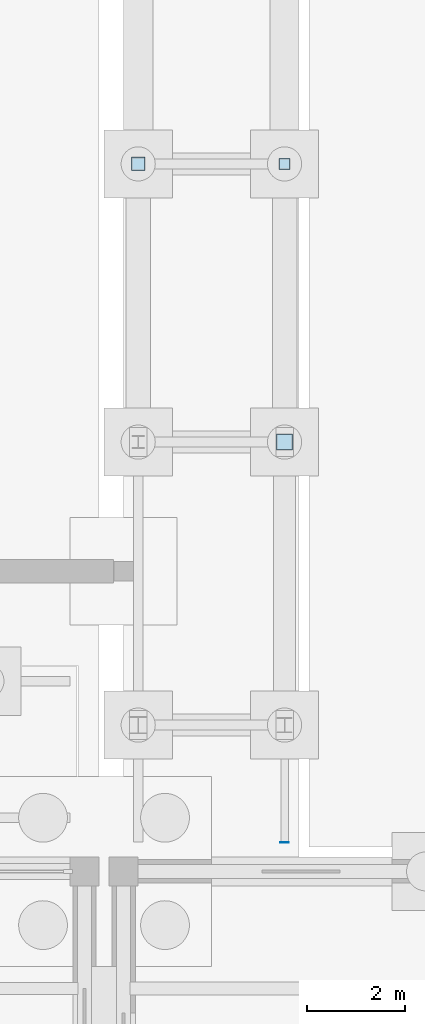
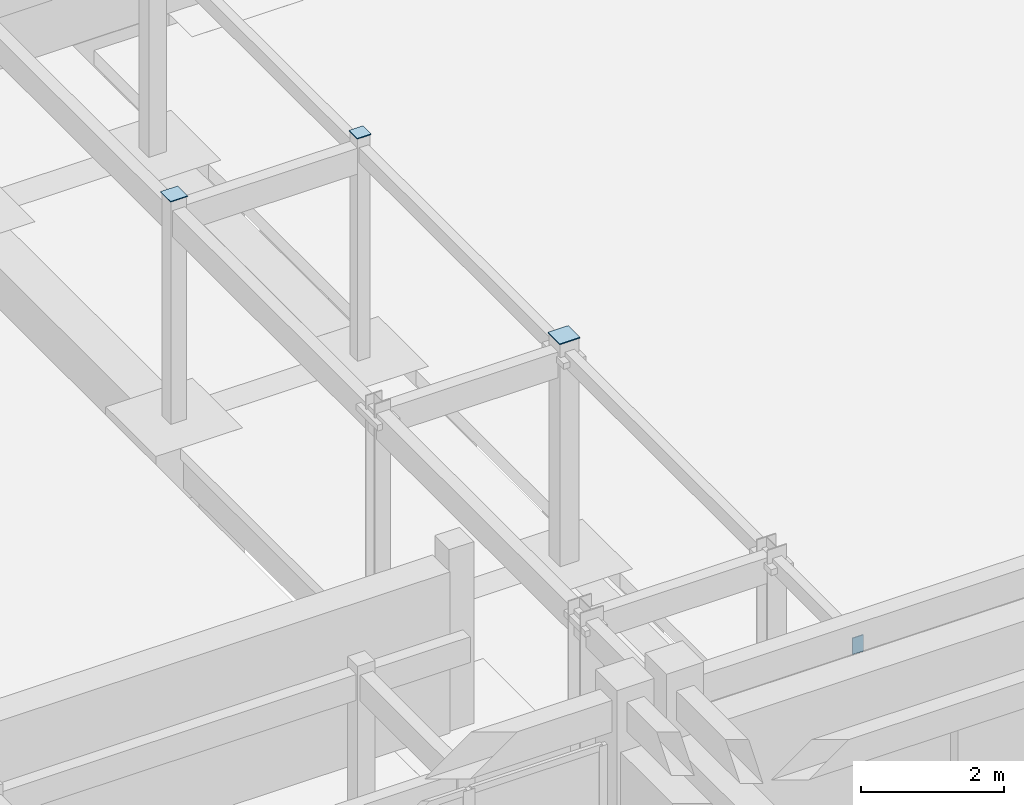
# One storey, part 90 of 143: 4 plates.
"""IFC4 building model written with IfcOpenShell, lengths in metres."""

from ifc_helpers import new_model, si_unit, direction, frame, origin, origin_2d, place, context, subcontext, project, spatial, rectangle, extrude, material, layer, layer_set, type_object, element, save


model = new_model("IFC4")

# Units and contexts
model_context = context("Model", 3, precision=1e-05, world=origin(), true_north=direction((0.0, 1.0)))
body_context = subcontext(model_context, "Body", "Model", "MODEL_VIEW")
ifc_project = project(units=[si_unit("LENGTHUNIT", "METRE"), si_unit("AREAUNIT", "SQUARE_METRE"), si_unit("VOLUMEUNIT", "CUBIC_METRE"), si_unit("PLANEANGLEUNIT", "RADIAN"), si_unit("MASSUNIT", "GRAM", prefix="KILO")], contexts=[model_context])

# Site, building, storey
site_placement = place(None, origin())
site = spatial("IfcSite", under=ifc_project, at=site_placement, CompositionType="ELEMENT")
building_placement = place(site_placement, origin())
building = spatial("IfcBuilding", under=site, at=building_placement, Name="Steenspoor Specialist Clinic", CompositionType="ELEMENT")
storey_placement = place(building_placement, origin())
storey = spatial("IfcBuildingStorey", under=building, at=storey_placement, Name="L00", CompositionType="ELEMENT", Elevation=0.0)

# Plates
ifc_material = material(Name="Steel A572 Grade 50", Category="steel")
ifc_layer = layer(ifc_material, 0.01611328125)
ifc_layer_set = layer_set([ifc_layer], Name="Steel A572 Grade 50")
plate_type = type_object("IfcPlateType", Name="PL-GUS-16", PredefinedType="SHEET", material=ifc_layer_set)
plate_1_placement = place(storey_placement, frame((121.300048828125, 50.64990234375, 3.7978515625), z_axis=(0.0, 0.0, 1.0), x_axis=(1.0, 0.0, 0.0)))
element("IfcPlate", 1, at=plate_1_placement, inside=storey, type_object=plate_type, Name="Hollow Column Top Cap Plate GP-16 9", PredefinedType="SHEET", context=body_context, shape_type="SweptSolid", body=[
    extrude(rectangle(XDim=0.3291015625, YDim=0.3291015625, at=origin_2d()), origin(), (0.0, 0.0, 1.0), 0.01611328125),
])
plate_2_placement = place(storey_placement, frame((118.300048828125, 56.35009765625, 3.7978515625), z_axis=(0.0, 0.0, 1.0), x_axis=(1.0, 0.0, 0.0)))
element("IfcPlate", 2, at=plate_2_placement, inside=storey, type_object=plate_type, Name="Hollow Column Top Cap Plate GP-16 10", PredefinedType="SHEET", context=body_context, shape_type="SweptSolid", body=[
    extrude(rectangle(XDim=0.278076171875, YDim=0.278076171875, at=origin_2d()), origin(), (0.0, 0.0, 1.0), 0.01611328125),
])
plate_3_placement = place(storey_placement, frame((121.300048828125, 56.35009765625, 3.7978515625), z_axis=(0.0, 0.0, 1.0), x_axis=(1.0, 0.0, 0.0)))
element("IfcPlate", 3, at=plate_3_placement, inside=storey, type_object=plate_type, Name="Hollow Column Top Cap Plate GP-16 11", PredefinedType="SHEET", context=body_context, shape_type="SweptSolid", body=[
    extrude(rectangle(XDim=0.22705078125, YDim=0.22705078125, at=origin_2d()), origin(), (0.0, 0.0, 1.0), 0.01611328125),
])
plate_4_placement = place(storey_placement, frame((121.300048828125, 42.444091796875, 3.369140625), z_axis=(0.0, 0.0, 1.0), x_axis=(1.0, 0.0, 0.0)))
element("IfcPlate", 4, at=plate_4_placement, inside=storey, type_object=plate_type, Name="Hollow Beam End Cap Plate GP-16 16", PredefinedType="SHEET", context=body_context, shape_type="SweptSolid", body=[
    extrude(rectangle(XDim=0.176025390625, YDim=0.01611328125, at=origin_2d()), origin(), (0.0, 0.0, 1.0), 0.278076171875),
])

save(model, "model.ifc")
